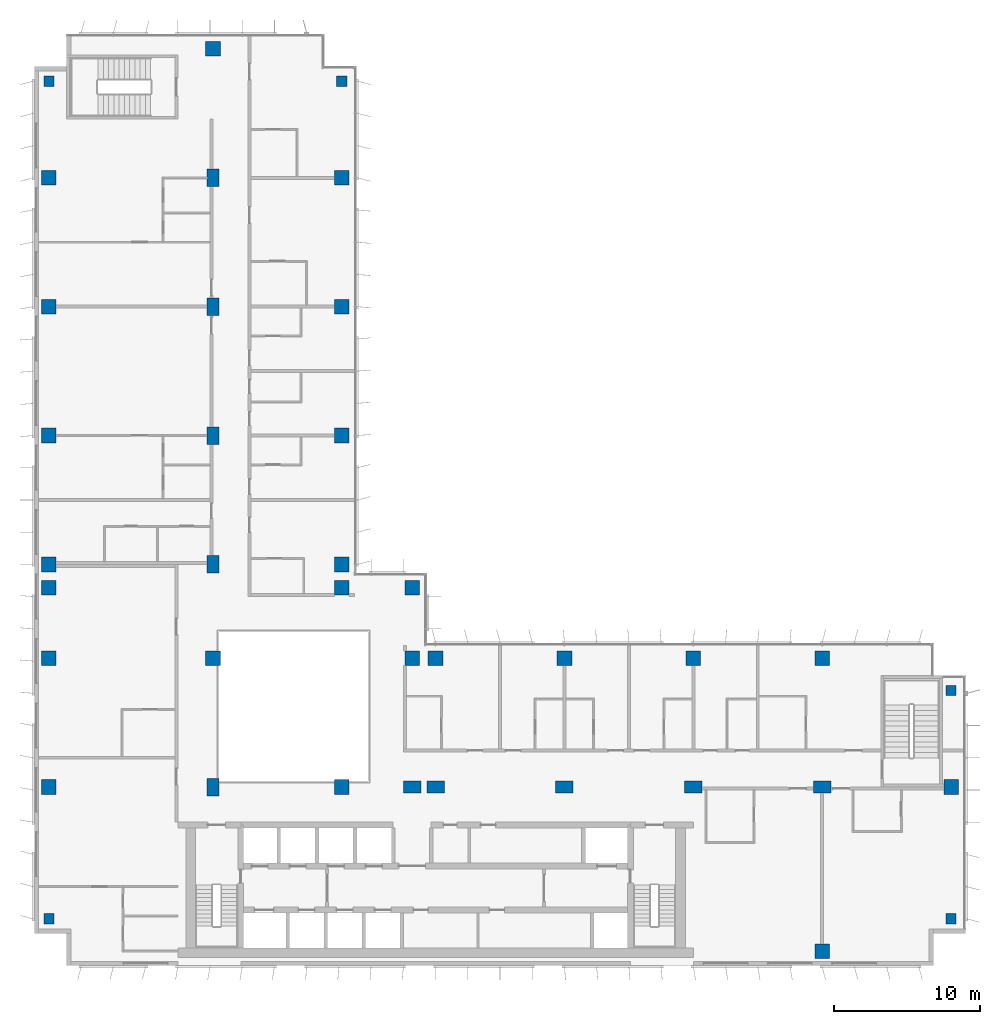
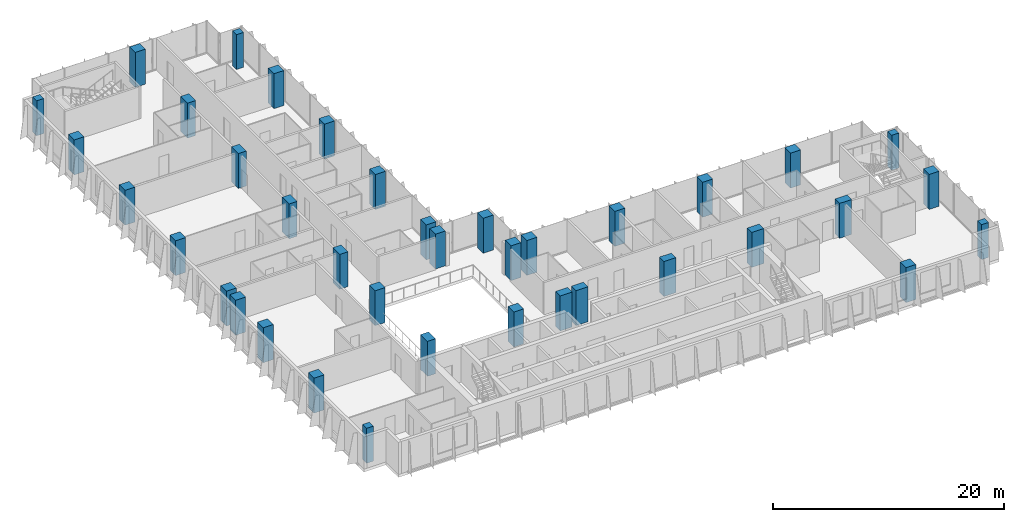
# One storey, part 1 of 21: 38 columns.
"""IFC4 building model written with IfcOpenShell, lengths in metres."""

from ifc_helpers import new_model, si_unit, direction, frame, origin, origin_2d, place, context, subcontext, project, spatial, rectangle, extrude, material, material_profile, profile_set, type_object, element, save


model = new_model("IFC4")

# Units and contexts
model_context = context("Model", 3, precision=1e-05, world=origin(), true_north=direction((0.0, 1.0)))
body_context = subcontext(model_context, "Body", "Model", "MODEL_VIEW")
ifc_project = project(units=[si_unit("LENGTHUNIT", "METRE"), si_unit("AREAUNIT", "SQUARE_METRE"), si_unit("VOLUMEUNIT", "CUBIC_METRE"), si_unit("PLANEANGLEUNIT", "RADIAN"), si_unit("MASSUNIT", "GRAM", prefix="KILO")], contexts=[model_context])

# Site, building, storey
site_placement = place(None, origin())
site = spatial("IfcSite", under=ifc_project, at=site_placement, CompositionType="ELEMENT")
building_placement = place(site_placement, origin())
building = spatial("IfcBuilding", under=site, at=building_placement, Name="Kemantara Hotel Tower", CompositionType="ELEMENT")
storey_placement = place(building_placement, frame((0.0, 0.0, 167.89990234375)))
storey = spatial("IfcBuildingStorey", under=building, at=storey_placement, Name="L41", CompositionType="ELEMENT", Elevation=167.89990234375)

# Columns
ifc_material = material(Name="Concrete fc 60 MPa", Category="concrete")
ifc_material_profile_1 = material_profile(ifc_material, rectangle(XDim=1.0, YDim=1.0, at=origin_2d()), Name="RC 1000X1000")
ifc_profile_set_1 = profile_set([ifc_material_profile_1], Name="Concrete fc 60 MPa")
column_type_1 = type_object("IfcColumnType", Name="RC COLUMN 1000X1000 FC60", PredefinedType="COLUMN", material=ifc_profile_set_1)
for number, where, z_axis, x_axis, name in (
    (1, (1.0, 12.199951171875, 0.0), (0.0, 0.0, 1.0), (1.0, 0.0, 0.0), "COLUMN 1/BA L41"),
    (2, (1.0, 21.0, 0.0), (0.0, 0.0, 1.0), (1.0, 0.0, 0.0), "COLUMN 1/C L41"),
    (3, (1.0, 25.800048828125, 0.0), (0.0, 0.0, 1.0), (1.0, 0.0, 0.0), "COLUMN 1/CA L41"),
    (4, (1.0, 27.39990234375, 0.0), (0.0, 0.0, 1.0), (1.0, 0.0, 0.0), "COLUMN 1/D L41"),
    (5, (1.0, 36.199951171875, 0.0), (0.0, 0.0, 1.0), (1.0, 0.0, 0.0), "COLUMN 1/E L41"),
    (6, (1.0, 45.0, 0.0), (0.0, 0.0, 1.0), (1.0, 0.0, 0.0), "COLUMN 1/F L41"),
    (7, (1.0, 53.800048828125, 0.0), (0.0, 0.0, 1.0), (1.0, 0.0, 0.0), "COLUMN 1/G L41"),
    (8, (12.199951171875, 21.0, 0.0), (0.0, 0.0, 1.0), (1.0, 0.0, 0.0), "COLUMN 2A/C L41"),
    (9, (12.199951171875, 62.60009765625, 0.0), (0.0, 0.0, 1.0), (1.0, 0.0, 0.0), "COLUMN 2A/H L41"),
    (10, (21.0, 12.199951171875, 0.0), (0.0, 0.0, 1.0), (1.0, 0.0, 0.0), "COLUMN 3/BA L41"),
    (11, (21.0, 25.800048828125, 0.0), (0.0, 0.0, 1.0), (1.0, 0.0, 0.0), "COLUMN 3/CA L41"),
    (12, (21.0, 27.39990234375, 0.0), (0.0, 0.0, 1.0), (1.0, 0.0, 0.0), "COLUMN 3/D L41"),
    (13, (21.0, 36.199951171875, 0.0), (0.0, 0.0, 1.0), (1.0, 0.0, 0.0), "COLUMN 3/E L41"),
    (14, (21.0, 45.0, 0.0), (0.0, 0.0, 1.0), (1.0, 0.0, 0.0), "COLUMN 3/F L41"),
    (15, (21.0, 53.800048828125, 0.0), (0.0, 0.0, 1.0), (1.0, 0.0, 0.0), "COLUMN 3/G L41"),
    (16, (25.800048828125, 21.0, 0.0), (0.0, 0.0, 1.0), (1.0, 0.0, 0.0), "COLUMN 3A/C L41"),
    (17, (25.800048828125, 25.800048828125, 0.0), (0.0, 0.0, 1.0), (1.0, 0.0, 0.0), "COLUMN 3A/CA L41"),
    (18, (27.39990234375, 21.0, 0.0), (0.0, 0.0, 1.0), (1.0, 0.0, 0.0), "COLUMN 4/C L41"),
    (19, (36.199951171875, 21.0, 0.0), (0.0, 0.0, 1.0), (1.0, 0.0, 0.0), "COLUMN 5/C L41"),
    (20, (45.0, 21.0, 0.0), (0.0, 0.0, 1.0), (1.0, 0.0, 0.0), "COLUMN 6/C L41"),
    (21, (53.800048828125, 1.0, 0.0), (0.0, 0.0, 1.0), (1.0, 0.0, 0.0), "COLUMN 7/A L41"),
    (22, (53.800048828125, 21.0, 0.0), (0.0, 0.0, 1.0), (1.0, 0.0, 0.0), "COLUMN 7/C L41"),
    (23, (62.60009765625, 12.199951171875, 0.0), (0.0, 0.0, 1.0), (1.0, 0.0, 0.0), "COLUMN 8/BA L41"),
):
    element("IfcColumn", number, at=place(storey_placement, frame(where, z_axis=z_axis, x_axis=x_axis)), inside=storey, type_object=column_type_1, Name=name, PredefinedType="COLUMN", context=body_context, shape_type="SweptSolid", body=[
        extrude(rectangle(XDim=1.0, YDim=1.0, at=origin_2d()), origin(), (0.0, 0.0, 1.0), 3.7001953125),
    ])
ifc_material_profile_2 = material_profile(ifc_material, rectangle(XDim=1.199951171875, YDim=0.800048828125, at=origin_2d()), Name="RC 1200X800")
ifc_profile_set_2 = profile_set([ifc_material_profile_2], Name="Concrete fc 60 MPa")
column_type_2 = type_object("IfcColumnType", Name="RC COLUMN 1200X800 FC60", PredefinedType="COLUMN", material=ifc_profile_set_2)
for number, where, z_axis, x_axis, name in (
    (24, (12.199951171875, 12.199951171875, 0.0), (0.0, 0.0, 1.0), (0.0, 1.0, 0.0), "COLUMN 2A/BA L41"),
    (25, (12.199951171875, 27.39990234375, 0.0), (0.0, 0.0, 1.0), (0.0, 1.0, 0.0), "COLUMN 2A/D L41"),
    (26, (12.199951171875, 36.199951171875, 0.0), (0.0, 0.0, 1.0), (0.0, 1.0, 0.0), "COLUMN 2A/E L41"),
    (27, (12.199951171875, 45.0, 0.0), (0.0, 0.0, 1.0), (0.0, 1.0, 0.0), "COLUMN 2A/F L41"),
    (28, (12.199951171875, 53.800048828125, 0.0), (0.0, 0.0, 1.0), (0.0, 1.0, 0.0), "COLUMN 2A/G L41"),
    (29, (25.800048828125, 12.199951171875, 0.0), (0.0, 0.0, 1.0), (1.0, 0.0, 0.0), "COLUMN 3A/BA L41"),
    (30, (27.39990234375, 12.199951171875, 0.0), (0.0, 0.0, 1.0), (1.0, 0.0, 0.0), "COLUMN 4/BA L41"),
    (31, (36.199951171875, 12.199951171875, 0.0), (0.0, 0.0, 1.0), (1.0, 0.0, 0.0), "COLUMN 5/BA L41"),
    (32, (45.0, 12.199951171875, 0.0), (0.0, 0.0, 1.0), (1.0, 0.0, 0.0), "COLUMN 6/BA L41"),
    (33, (53.800048828125, 12.199951171875, 0.0), (0.0, 0.0, 1.0), (1.0, 0.0, 0.0), "COLUMN 7/BA L41"),
):
    element("IfcColumn", number, at=place(storey_placement, frame(where, z_axis=z_axis, x_axis=x_axis)), inside=storey, type_object=column_type_2, Name=name, PredefinedType="COLUMN", context=body_context, shape_type="SweptSolid", body=[
        extrude(rectangle(XDim=1.199951171875, YDim=0.800048828125, at=origin_2d()), origin(), (0.0, 0.0, 1.0), 3.7001953125),
    ])
ifc_material_profile_3 = material_profile(ifc_material, rectangle(XDim=0.699951171875, YDim=0.699951171875, at=origin_2d()), Name="RC 700X700")
ifc_profile_set_3 = profile_set([ifc_material_profile_3], Name="Concrete fc 60 MPa")
column_type_3 = type_object("IfcColumnType", Name="RC COLUMN 700X700 FC60", PredefinedType="COLUMN", material=ifc_profile_set_3)
for number, where, z_axis, x_axis, name in (
    (34, (1.0, 3.199951171875, 0.0), (0.0, 0.0, 1.0), (1.0, 0.0, 0.0), "COLUMN notch corner L41"),
    (35, (1.0, 60.39990234375, 0.0), (0.0, 0.0, 1.0), (1.0, 0.0, 0.0), "COLUMN notch corner L41"),
    (36, (21.0, 60.39990234375, 0.0), (0.0, 0.0, 1.0), (1.0, 0.0, 0.0), "COLUMN notch corner L41"),
    (37, (62.60009765625, 3.199951171875, 0.0), (0.0, 0.0, 1.0), (1.0, 0.0, 0.0), "COLUMN notch corner L41"),
    (38, (62.60009765625, 18.800048828125, 0.0), (0.0, 0.0, 1.0), (1.0, 0.0, 0.0), "COLUMN notch corner L41"),
):
    element("IfcColumn", number, at=place(storey_placement, frame(where, z_axis=z_axis, x_axis=x_axis)), inside=storey, type_object=column_type_3, Name=name, PredefinedType="COLUMN", context=body_context, shape_type="SweptSolid", body=[
        extrude(rectangle(XDim=0.699951171875, YDim=0.699951171875, at=origin_2d()), origin(), (0.0, 0.0, 1.0), 3.7001953125),
    ])

save(model, "model.ifc")
